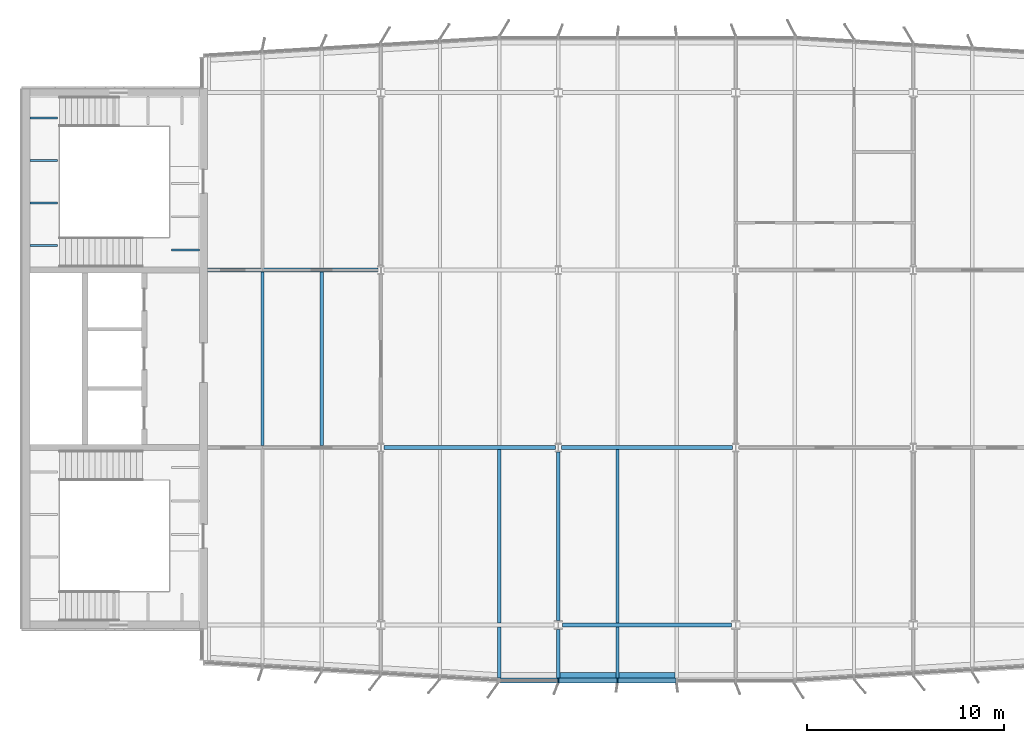
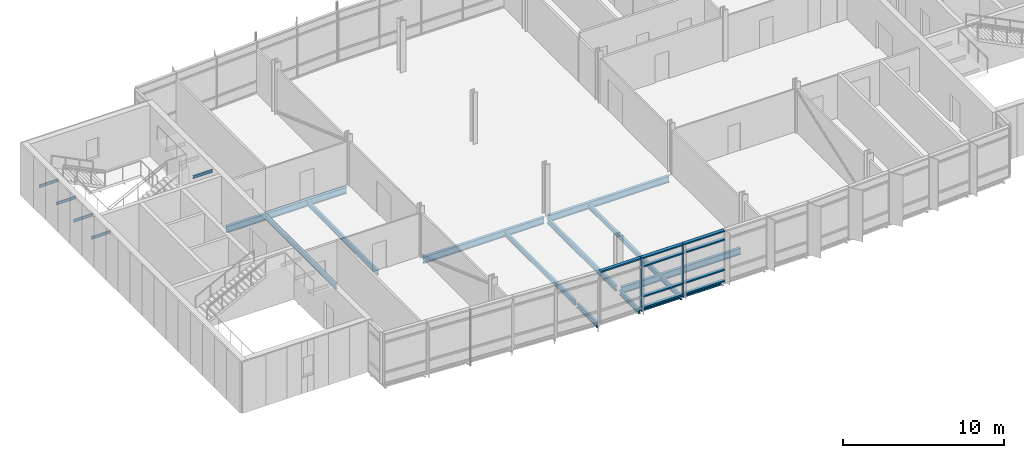
# One storey, part 3 of 18: 19 beams, 11 members, 1 element without a shape of its own.
"""IFC4 building model written with IfcOpenShell, lengths in metres."""

from ifc_helpers import new_model, si_unit, direction, frame, origin, origin_2d, place, context, subcontext, project, spatial, rectangle, i_section, extrude, material, material_profile, profile_set, type_object, element, aggregate, save


model = new_model("IFC4")

# Units and contexts
model_context = context("Model", 3, precision=1e-05, world=origin(), true_north=direction((0.0, 1.0)))
body_context = subcontext(model_context, "Body", "Model", "MODEL_VIEW")
ifc_project = project(units=[si_unit("LENGTHUNIT", "METRE"), si_unit("AREAUNIT", "SQUARE_METRE"), si_unit("VOLUMEUNIT", "CUBIC_METRE"), si_unit("PLANEANGLEUNIT", "RADIAN"), si_unit("MASSUNIT", "GRAM", prefix="KILO")], contexts=[model_context])

# Site, building, storey
site_placement = place(None, origin())
site = spatial("IfcSite", under=ifc_project, at=site_placement, CompositionType="ELEMENT")
building_placement = place(site_placement, origin())
building = spatial("IfcBuilding", under=site, at=building_placement, Name="Azimuth Sports and Learning Centre", CompositionType="ELEMENT")
storey_placement = place(building_placement, frame((0.0, 0.0, 59.699951171875)))
storey = spatial("IfcBuildingStorey", under=building, at=storey_placement, Name="L13", CompositionType="ELEMENT", Elevation=59.699951171875)

# Beams
ifc_material_1 = material(Name="Steel S355", Category="steel")
ifc_material_profile_1 = material_profile(ifc_material_1, i_section(OverallWidth=0.10009765625, OverallDepth=0.199951171875, WebThickness=0.005615234375, FlangeThickness=0.008544921875, FilletRadius=0.011962890625, at=origin_2d()), Name="IPE 200")
ifc_profile_set_1 = profile_set([ifc_material_profile_1], Name="Steel S355")
beam_type_1 = type_object("IfcBeamType", Name="Beam IPE 200", PredefinedType="BEAM", material=ifc_profile_set_1)
for number, where, z_axis, x_axis, name in (
    (1, (54.199951171875, 109.23876953125, 1.35009765625), (1.0, 0.0, 0.0), (0.0, 1.0, 0.0), "Landing bracket W2 L13 310"),
    (2, (54.199951171875, 111.396240234375, 1.35009765625), (1.0, 0.0, 0.0), (0.0, 1.0, 0.0), "Landing bracket W2 L13 311"),
    (3, (54.199951171875, 113.5537109375, 1.35009765625), (1.0, 0.0, 0.0), (0.0, 1.0, 0.0), "Landing bracket W2 L13 312"),
    (4, (54.199951171875, 115.711181640625, 1.35009765625), (1.0, 0.0, 0.0), (0.0, 1.0, 0.0), "Landing bracket W2 L13 313"),
    (5, (62.800048828125, 109.00830078125, 3.60009765625), (-1.0, 0.0, 0.0), (0.0, -1.0, 0.0), "Landing bracket W2 L13 314"),
):
    element("IfcBeam", number, at=place(storey_placement, frame(where, z_axis=z_axis, x_axis=x_axis)), inside=storey, type_object=beam_type_1, Name=name, PredefinedType="BEAM", context=body_context, shape_type="SweptSolid", body=[
        extrude(i_section(OverallWidth=0.10009765625, OverallDepth=0.199951171875, WebThickness=0.005615234375, FlangeThickness=0.008544921875, FilletRadius=0.011962890625, at=origin_2d()), origin(), (0.0, 0.0, 1.0), 1.41015625),
    ])
ifc_material_2 = material(Name="Steel S355", Category="steel")
ifc_material_profile_2 = material_profile(ifc_material_2, i_section(OverallWidth=0.179931640625, OverallDepth=0.39990234375, WebThickness=0.008544921875, FlangeThickness=0.013427734375, FilletRadius=0.02099609375, at=origin_2d()), Name="IPE 400")
ifc_profile_set_2 = profile_set([ifc_material_profile_2], Name="Steel S355")
beam_type_2 = type_object("IfcBeamType", Name="Beam IPE 400", PredefinedType="BEAM", material=ifc_profile_set_2)
beam_1_placement = place(storey_placement, frame((81.0, 90.2275390625, -0.329833984375), z_axis=(0.0, 1.0, 0.0), x_axis=(-1.0, 0.0, 0.0)))
element("IfcBeam", 6, at=beam_1_placement, inside=storey, type_object=beam_type_2, Name="Tower tie", PredefinedType="BEAM", context=body_context, shape_type="SweptSolid", body=[
    extrude(i_section(OverallWidth=0.179931640625, OverallDepth=0.39990234375, WebThickness=0.008544921875, FlangeThickness=0.013427734375, FilletRadius=0.02099609375, at=origin_2d()), origin(), (0.0, 0.0, 1.0), 8.556396484375),
])
ifc_material_3 = material(Name="Steel S355", Category="steel")
ifc_material_profile_3 = material_profile(ifc_material_3, i_section(OverallWidth=0.199951171875, OverallDepth=0.5, WebThickness=0.01025390625, FlangeThickness=0.01611328125, FilletRadius=0.02099609375, at=origin_2d()), Name="IPE 500")
ifc_profile_set_3 = profile_set([ifc_material_profile_3], Name="Steel S355")
beam_type_3 = type_object("IfcBeamType", Name="Beam IPE 500", PredefinedType="BEAM", material=ifc_profile_set_3)
beam_2_placement = place(storey_placement, frame((81.208984375, 90.0, -0.3798828125), z_axis=(1.0, 0.0, 0.0), x_axis=(0.0, 1.0, 0.0)))
element("IfcBeam", 7, at=beam_2_placement, inside=storey, type_object=beam_type_3, Name="Tower girder L13", PredefinedType="BEAM", context=body_context, shape_type="SweptSolid", body=[
    extrude(i_section(OverallWidth=0.199951171875, OverallDepth=0.5, WebThickness=0.01025390625, FlangeThickness=0.01611328125, FilletRadius=0.02099609375, at=origin_2d()), origin(), (0.0, 0.0, 1.0), 8.58203125),
])
for number, where, z_axis, x_axis, name in (
    (8, (72.153564453125, 99.0, -0.3798828125), (1.0, 0.0, 0.0), (0.0, 1.0, 0.0), "Tower girder L13"),
    (9, (81.153564453125, 99.0, -0.3798828125), (1.0, 0.0, 0.0), (0.0, 1.0, 0.0), "Tower girder L13"),
):
    element("IfcBeam", number, at=place(storey_placement, frame(where, z_axis=z_axis, x_axis=x_axis)), inside=storey, type_object=beam_type_3, Name=name, PredefinedType="BEAM", context=body_context, shape_type="SweptSolid", body=[
        extrude(i_section(OverallWidth=0.199951171875, OverallDepth=0.5, WebThickness=0.01025390625, FlangeThickness=0.01611328125, FilletRadius=0.02099609375, at=origin_2d()), origin(), (0.0, 0.0, 1.0), 8.69287109375),
    ])
beam_3_placement = place(storey_placement, frame((63.199951171875, 108.0, -0.3798828125), z_axis=(1.0, 0.0, 0.0), x_axis=(0.0, 1.0, 0.0)))
element("IfcBeam", 10, at=beam_3_placement, inside=storey, type_object=beam_type_3, Name="Tower girder L13", PredefinedType="BEAM", context=body_context, shape_type="SweptSolid", body=[
    extrude(i_section(OverallWidth=0.199951171875, OverallDepth=0.5, WebThickness=0.01025390625, FlangeThickness=0.01611328125, FilletRadius=0.02099609375, at=origin_2d()), origin(), (0.0, 0.0, 1.0), 8.646484375),
])
ifc_material_4 = material(Name="Steel S355", Category="steel")
ifc_material_profile_4 = material_profile(ifc_material_4, i_section(OverallWidth=0.169921875, OverallDepth=0.360107421875, WebThickness=0.008056640625, FlangeThickness=0.0126953125, FilletRadius=0.01806640625, at=origin_2d()), Name="IPE 360")
ifc_profile_set_4 = profile_set([ifc_material_profile_4], Name="Steel S355")
beam_type_4 = type_object("IfcBeamType", Name="Cantilever stub IPE 360", PredefinedType="JOIST", material=ifc_profile_set_4)
beam_4_placement = place(storey_placement, frame((78.0, 89.89990234375, -0.31005859375), z_axis=(0.0, -1.0, 0.0), x_axis=(1.0, 0.0, 0.0)))
element("IfcBeam", 11, at=beam_4_placement, inside=storey, type_object=beam_type_4, Name="Tower cantilever stub", PredefinedType="JOIST", context=body_context, shape_type="SweptSolid", body=[
    extrude(i_section(OverallWidth=0.169921875, OverallDepth=0.360107421875, WebThickness=0.008056640625, FlangeThickness=0.0126953125, FilletRadius=0.01806640625, at=origin_2d()), origin(), (0.0, 0.0, 1.0), 2.579833984375),
])
beam_5_placement = place(storey_placement, frame((81.0, 89.7724609375, -0.31005859375), z_axis=(0.0, -1.0, 0.0), x_axis=(1.0, 0.0, 0.0)))
element("IfcBeam", 12, at=beam_5_placement, inside=storey, type_object=beam_type_4, Name="Tower cantilever stub", PredefinedType="JOIST", context=body_context, shape_type="SweptSolid", body=[
    extrude(i_section(OverallWidth=0.169921875, OverallDepth=0.360107421875, WebThickness=0.008056640625, FlangeThickness=0.0126953125, FilletRadius=0.01806640625, at=origin_2d()), origin(), (0.0, 0.0, 1.0), 2.452392578125),
])
beam_6_placement = place(storey_placement, frame((84.0, 89.89990234375, -0.31005859375), z_axis=(0.0, -1.0, 0.0), x_axis=(1.0, 0.0, 0.0)))
element("IfcBeam", 13, at=beam_6_placement, inside=storey, type_object=beam_type_4, Name="Tower cantilever stub", PredefinedType="JOIST", context=body_context, shape_type="SweptSolid", body=[
    extrude(i_section(OverallWidth=0.169921875, OverallDepth=0.360107421875, WebThickness=0.008056640625, FlangeThickness=0.0126953125, FilletRadius=0.01806640625, at=origin_2d()), origin(), (0.0, 0.0, 1.0), 2.579833984375),
])
ifc_material_5 = material(Name="Steel S355", Category="steel")
ifc_material_profile_5 = material_profile(ifc_material_5, i_section(OverallWidth=0.260009765625, OverallDepth=0.25, WebThickness=0.007568359375, FlangeThickness=0.012451171875, FilletRadius=0.02392578125, at=origin_2d()), Name="HEA 260")
ifc_profile_set_5 = profile_set([ifc_material_profile_5], Name="Steel S355")
beam_type_5 = type_object("IfcBeamType", Name="Edge beam HEA 260", PredefinedType="SPANDREL", material=ifc_profile_set_5)
for number, where, z_axis, x_axis, name in (
    (14, (81.0849609375, 87.449951171875, -0.2548828125), (1.0, 0.0, 0.0), (0.0, 1.0, 0.0), "Tower edge beam"),
    (15, (84.0849609375, 87.449951171875, -0.2548828125), (1.0, 0.0, 0.0), (0.0, 1.0, 0.0), "Tower edge beam"),
):
    element("IfcBeam", number, at=place(storey_placement, frame(where, z_axis=z_axis, x_axis=x_axis)), inside=storey, type_object=beam_type_5, Name=name, PredefinedType="SPANDREL", context=body_context, shape_type="SweptSolid", body=[
        extrude(i_section(OverallWidth=0.260009765625, OverallDepth=0.25, WebThickness=0.007568359375, FlangeThickness=0.012451171875, FilletRadius=0.02392578125, at=origin_2d()), origin(), (0.0, 0.0, 1.0), 2.830078125),
    ])
ifc_material_6 = material(Name="Steel S355", Category="steel")
ifc_material_profile_6 = material_profile(ifc_material_6, i_section(OverallWidth=0.169921875, OverallDepth=0.360107421875, WebThickness=0.008056640625, FlangeThickness=0.0126953125, FilletRadius=0.01806640625, at=origin_2d()), Name="IPE 360")
ifc_profile_set_6 = profile_set([ifc_material_profile_6], Name="Steel S355")
beam_type_6 = type_object("IfcBeamType", Name="Joist IPE 360", PredefinedType="JOIST", material=ifc_profile_set_6)
for number, where, z_axis, x_axis, name in (
    (16, (66.0, 99.10009765625, -0.31005859375), (0.0, 1.0, 0.0), (-1.0, 0.0, 0.0), "Tower joist"),
    (17, (69.0, 99.10009765625, -0.31005859375), (0.0, 1.0, 0.0), (-1.0, 0.0, 0.0), "Tower joist"),
    (18, (78.0, 90.10009765625, -0.31005859375), (0.0, 1.0, 0.0), (-1.0, 0.0, 0.0), "Tower joist"),
    (19, (84.0, 90.10009765625, -0.31005859375), (0.0, 1.0, 0.0), (-1.0, 0.0, 0.0), "Tower joist"),
):
    element("IfcBeam", number, at=place(storey_placement, frame(where, z_axis=z_axis, x_axis=x_axis)), inside=storey, type_object=beam_type_6, Name=name, PredefinedType="JOIST", context=body_context, shape_type="SweptSolid", body=[
        extrude(i_section(OverallWidth=0.169921875, OverallDepth=0.360107421875, WebThickness=0.008056640625, FlangeThickness=0.0126953125, FilletRadius=0.01806640625, at=origin_2d()), origin(), (0.0, 0.0, 1.0), 8.7998046875),
    ])

# Curtain wall, members
ifc_material_7 = material(Name="Aluminium and glass", Category="aluminium")
curtain_wall_type = type_object("IfcCurtainWallType", Name="Curtain wall tower south 240", PredefinedType="NOTDEFINED", material=ifc_material_7)
curtain_wall_placement = place(storey_placement, origin())
curtain_wall = element("IfcCurtainWall", 20, at=curtain_wall_placement, inside=storey, type_object=curtain_wall_type, Name="Curtain wall CW13-003", PredefinedType="NOTDEFINED")
ifc_material_8 = material(Name="Aluminium", Category="aluminium")
ifc_material_profile_7 = material_profile(ifc_material_8, rectangle(XDim=0.239990234375, YDim=0.070068359375, at=origin_2d()), Name="Mullion 70x240")
ifc_profile_set_7 = profile_set([ifc_material_profile_7], Name="Aluminium")
member_type_1 = type_object("IfcMemberType", Name="Mullion 70x240", PredefinedType="MULLION", material=ifc_profile_set_7)
member_1_placement = place(storey_placement, frame((81.0, 87.179931640625, 0.0), z_axis=(0.0, 0.0, 1.0), x_axis=(0.0, 1.0, 0.0)))
member_1 = element("IfcMember", 21, at=member_1_placement, type_object=member_type_1, Name="CW13-003 mullion 2", PredefinedType="MULLION", context=body_context, shape_type="SweptSolid", body=[
    extrude(rectangle(XDim=0.239990234375, YDim=0.070068359375, at=origin_2d()), origin(), (0.0, 0.0, 1.0), 3.900146484375),
])
member_2_placement = place(storey_placement, frame((84.0, 87.179931640625, 0.0), z_axis=(0.0, 0.0, 1.0), x_axis=(0.0, 1.0, 0.0)))
member_2 = element("IfcMember", 22, at=member_2_placement, type_object=member_type_1, Name="CW13-003 mullion 3", PredefinedType="MULLION", context=body_context, shape_type="SweptSolid", body=[
    extrude(rectangle(XDim=0.239990234375, YDim=0.070068359375, at=origin_2d()), origin(), (0.0, 0.0, 1.0), 3.900146484375),
])
ifc_material_9 = material(Name="Aluminium", Category="aluminium")
ifc_material_profile_8 = material_profile(ifc_material_9, rectangle(XDim=0.239990234375, YDim=0.10009765625, at=origin_2d()), Name="Transom 100x240")
ifc_profile_set_8 = profile_set([ifc_material_profile_8], Name="Aluminium")
member_type_2 = type_object("IfcMemberType", Name="Transom 100x240", PredefinedType="USERDEFINED", material=ifc_profile_set_8)
member_3_placement = place(storey_placement, frame((78.062744140625, 87.179931640625, 3.85009765625), z_axis=(1.0, 0.0, 0.0), x_axis=(0.0, 1.0, 0.0)))
member_3 = element("IfcMember", 23, at=member_3_placement, type_object=member_type_2, Name="CW13-003 transom 1.4", ObjectType="TRANSOM", PredefinedType="USERDEFINED", context=body_context, shape_type="SweptSolid", body=[
    extrude(rectangle(XDim=0.239990234375, YDim=0.10009765625, at=origin_2d()), origin(), (0.0, 0.0, 1.0), 2.90234375),
])
member_4_placement = place(storey_placement, frame((81.034912109375, 87.179931640625, 0.050048828125), z_axis=(1.0, 0.0, 0.0), x_axis=(0.0, 1.0, 0.0)))
member_4 = element("IfcMember", 24, at=member_4_placement, type_object=member_type_2, Name="CW13-003 transom 2.1", ObjectType="TRANSOM", PredefinedType="USERDEFINED", context=body_context, shape_type="SweptSolid", body=[
    extrude(rectangle(XDim=0.239990234375, YDim=0.10009765625, at=origin_2d()), origin(), (0.0, 0.0, 1.0), 2.93017578125),
])
member_5_placement = place(storey_placement, frame((81.034912109375, 87.179931640625, 0.900146484375), z_axis=(1.0, 0.0, 0.0), x_axis=(0.0, 1.0, 0.0)))
member_5 = element("IfcMember", 25, at=member_5_placement, type_object=member_type_2, Name="CW13-003 transom 2.2", ObjectType="TRANSOM", PredefinedType="USERDEFINED", context=body_context, shape_type="SweptSolid", body=[
    extrude(rectangle(XDim=0.239990234375, YDim=0.10009765625, at=origin_2d()), origin(), (0.0, 0.0, 1.0), 2.93017578125),
])
member_6_placement = place(storey_placement, frame((81.034912109375, 87.179931640625, 3.199951171875), z_axis=(1.0, 0.0, 0.0), x_axis=(0.0, 1.0, 0.0)))
member_6 = element("IfcMember", 26, at=member_6_placement, type_object=member_type_2, Name="CW13-003 transom 2.3", ObjectType="TRANSOM", PredefinedType="USERDEFINED", context=body_context, shape_type="SweptSolid", body=[
    extrude(rectangle(XDim=0.239990234375, YDim=0.10009765625, at=origin_2d()), origin(), (0.0, 0.0, 1.0), 2.93017578125),
])
member_7_placement = place(storey_placement, frame((81.034912109375, 87.179931640625, 3.85009765625), z_axis=(1.0, 0.0, 0.0), x_axis=(0.0, 1.0, 0.0)))
member_7 = element("IfcMember", 27, at=member_7_placement, type_object=member_type_2, Name="CW13-003 transom 2.4", ObjectType="TRANSOM", PredefinedType="USERDEFINED", context=body_context, shape_type="SweptSolid", body=[
    extrude(rectangle(XDim=0.239990234375, YDim=0.10009765625, at=origin_2d()), origin(), (0.0, 0.0, 1.0), 2.93017578125),
])
member_8_placement = place(storey_placement, frame((84.034912109375, 87.179931640625, 0.050048828125), z_axis=(1.0, 0.0, 0.0), x_axis=(0.0, 1.0, 0.0)))
member_8 = element("IfcMember", 28, at=member_8_placement, type_object=member_type_2, Name="CW13-003 transom 3.1", ObjectType="TRANSOM", PredefinedType="USERDEFINED", context=body_context, shape_type="SweptSolid", body=[
    extrude(rectangle(XDim=0.239990234375, YDim=0.10009765625, at=origin_2d()), origin(), (0.0, 0.0, 1.0), 2.93017578125),
])
member_9_placement = place(storey_placement, frame((84.034912109375, 87.179931640625, 0.900146484375), z_axis=(1.0, 0.0, 0.0), x_axis=(0.0, 1.0, 0.0)))
member_9 = element("IfcMember", 29, at=member_9_placement, type_object=member_type_2, Name="CW13-003 transom 3.2", ObjectType="TRANSOM", PredefinedType="USERDEFINED", context=body_context, shape_type="SweptSolid", body=[
    extrude(rectangle(XDim=0.239990234375, YDim=0.10009765625, at=origin_2d()), origin(), (0.0, 0.0, 1.0), 2.93017578125),
])
member_10_placement = place(storey_placement, frame((84.034912109375, 87.179931640625, 3.199951171875), z_axis=(1.0, 0.0, 0.0), x_axis=(0.0, 1.0, 0.0)))
member_10 = element("IfcMember", 30, at=member_10_placement, type_object=member_type_2, Name="CW13-003 transom 3.3", ObjectType="TRANSOM", PredefinedType="USERDEFINED", context=body_context, shape_type="SweptSolid", body=[
    extrude(rectangle(XDim=0.239990234375, YDim=0.10009765625, at=origin_2d()), origin(), (0.0, 0.0, 1.0), 2.93017578125),
])
member_11_placement = place(storey_placement, frame((84.034912109375, 87.179931640625, 3.85009765625), z_axis=(1.0, 0.0, 0.0), x_axis=(0.0, 1.0, 0.0)))
member_11 = element("IfcMember", 31, at=member_11_placement, type_object=member_type_2, Name="CW13-003 transom 3.4", ObjectType="TRANSOM", PredefinedType="USERDEFINED", context=body_context, shape_type="SweptSolid", body=[
    extrude(rectangle(XDim=0.239990234375, YDim=0.10009765625, at=origin_2d()), origin(), (0.0, 0.0, 1.0), 2.93017578125),
])
aggregate(curtain_wall, [member_1, member_2, member_3, member_4, member_5, member_6, member_7, member_8, member_9, member_10, member_11])

save(model, "model.ifc")
